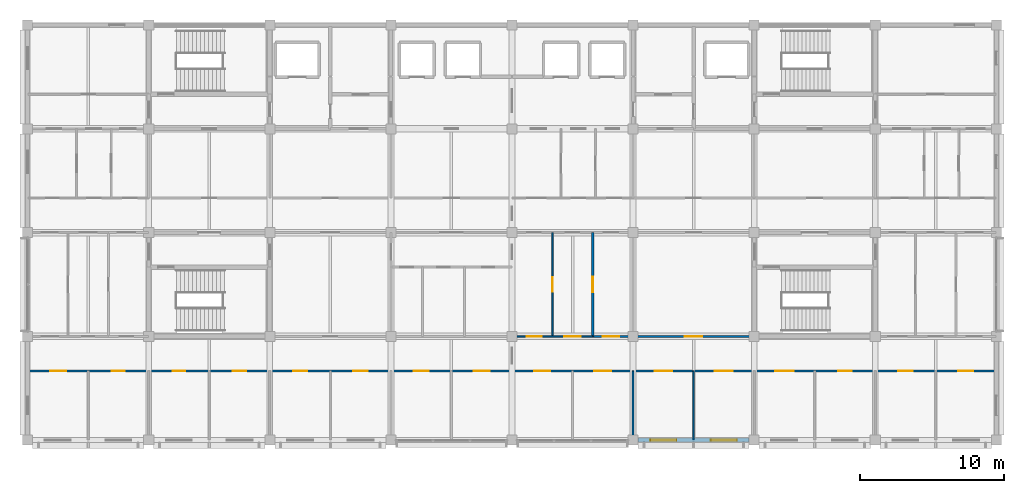
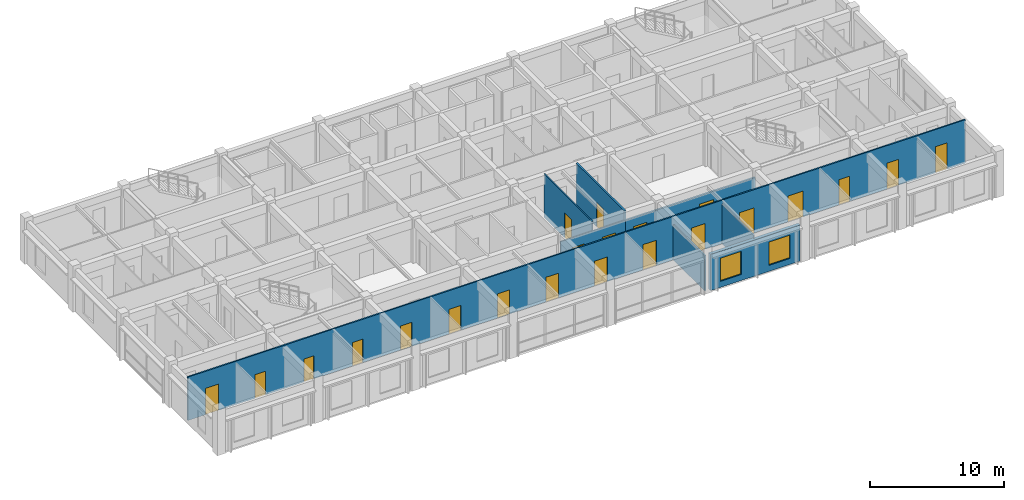
# One storey, part 13 of 19: 22 doors, 8 walls, 2 windows, 24 openings.
"""IFC4 building model written with IfcOpenShell, lengths in metres."""

from ifc_helpers import new_model, si_unit, direction, frame, frame_2d, origin, place, context, subcontext, project, spatial, rectangle, extrude, material, layer, layer_set, type_object, element, fill, save


model = new_model("IFC4")

# Units and contexts
model_context = context("Model", 3, precision=1e-05, world=origin(), true_north=direction((0.0, 1.0)))
body_context = subcontext(model_context, "Body", "Model", "MODEL_VIEW")
ifc_project = project(units=[si_unit("LENGTHUNIT", "METRE"), si_unit("AREAUNIT", "SQUARE_METRE"), si_unit("VOLUMEUNIT", "CUBIC_METRE"), si_unit("PLANEANGLEUNIT", "RADIAN"), si_unit("MASSUNIT", "GRAM", prefix="KILO")], contexts=[model_context])

# Site, building, storey
site_placement = place(None, origin())
site = spatial("IfcSite", under=ifc_project, at=site_placement, CompositionType="ELEMENT")
building_placement = place(site_placement, origin())
building = spatial("IfcBuilding", under=site, at=building_placement, Name="Chengyuan Square Courthouse", CompositionType="ELEMENT")
storey_placement = place(building_placement, frame((0.0, 0.0, 56.10009765625)))
storey = spatial("IfcBuildingStorey", under=building, at=storey_placement, Name="L13", CompositionType="ELEMENT", Elevation=56.10009765625)

# Wall, openings, windows
ifc_material_1 = material(Name="Concrete C40", Category="concrete")
ifc_layer_1 = layer(ifc_material_1, 0.280029296875)
ifc_layer_set_1 = layer_set([ifc_layer_1], Name="Concrete C40")
wall_type_1 = type_object("IfcWallType", Name="WL-EW4", PredefinedType="STANDARD", material=ifc_layer_set_1)
wall_1_placement = place(storey_placement, frame((92.7451171875, 79.199951171875, 0.0), z_axis=(0.0, 0.0, 1.0), x_axis=(1.0, 0.0, 0.0)))
wall_1 = element("IfcWall", 1, at=wall_1_placement, inside=storey, type_object=wall_type_1, Name="Exterior Wall WL-L13-E499", PredefinedType="STANDARD", context=body_context, shape_type="SweptSolid", body=[
    extrude(rectangle(XDim=7.7099609375, YDim=0.280029296875, at=frame_2d((3.85498046875, 0.0))), origin(), (0.0, 0.0, 1.0), 3.309814453125),
])
opening_1_placement = place(wall_1_placement, frame((0.85498046875, 0.0, 0.550048828125)))
opening_1 = element("IfcOpeningElement", 2, at=opening_1_placement, cuts=wall_1, Name="Opening WN-230", PredefinedType="OPENING", context=body_context, shape_type="SweptSolid", body=[
    extrude(rectangle(XDim=1.800048828125, YDim=2.1201171875, at=frame_2d((0.89990234375, 1.06005859375))), frame((0.0, 0.152099609375, 0.0), z_axis=(0.0, -1.0, 0.0), x_axis=(1.0, 0.0, 0.0)), (0.0, 0.0, 1.0), 0.303955078125),
])
opening_2_placement = place(wall_1_placement, frame((5.054931640625, 0.0, 0.550048828125)))
opening_2 = element("IfcOpeningElement", 3, at=opening_2_placement, cuts=wall_1, Name="Opening WN-231", PredefinedType="OPENING", context=body_context, shape_type="SweptSolid", body=[
    extrude(rectangle(XDim=1.800048828125, YDim=2.1201171875, at=frame_2d((0.89990234375, 1.06005859375))), frame((0.0, 0.152099609375, 0.0), z_axis=(0.0, -1.0, 0.0), x_axis=(1.0, 0.0, 0.0)), (0.0, 0.0, 1.0), 0.303955078125),
])
ifc_material_2 = material(Name="Thermally Broken Aluminium Triple Low-E Window", Category="aluminium")
window_type = type_object("IfcWindowType", Name="WT-36", PartitioningType="SINGLE_PANEL", PredefinedType="WINDOW", material=ifc_material_2)
window_1_placement = place(opening_1_placement, origin())
window_1 = element("IfcWindow", 4, at=window_1_placement, inside=storey, type_object=window_type, Name="Facade Window WN-230", OverallHeight=2.1201171875, OverallWidth=1.800048828125, PartitioningType="SINGLE_PANEL", PredefinedType="WINDOW", context=body_context, shape_type="SweptSolid", body=[
    extrude(rectangle(XDim=1.800048828125, YDim=2.1201171875, at=frame_2d((0.89990234375, 1.06005859375))), frame((0.0, 0.030029296875, 0.0), z_axis=(0.0, -1.0, 0.0), x_axis=(1.0, 0.0, 0.0)), (0.0, 0.0, 1.0), 0.06005859375),
])
fill(opening_1, window_1)
window_2_placement = place(opening_2_placement, origin())
window_2 = element("IfcWindow", 5, at=window_2_placement, inside=storey, type_object=window_type, Name="Facade Window WN-231", OverallHeight=2.1201171875, OverallWidth=1.800048828125, PartitioningType="SINGLE_PANEL", PredefinedType="WINDOW", context=body_context, shape_type="SweptSolid", body=[
    extrude(rectangle(XDim=1.800048828125, YDim=2.1201171875, at=frame_2d((0.89990234375, 1.06005859375))), frame((0.0, 0.030029296875, 0.0), z_axis=(0.0, -1.0, 0.0), x_axis=(1.0, 0.0, 0.0)), (0.0, 0.0, 1.0), 0.06005859375),
])
fill(opening_2, window_2)

# Wall, openings, doors
ifc_material_3 = material(Name="Deliberation Room Sound-Insulated Partition")
ifc_layer_2 = layer(ifc_material_3, 0.14990234375)
ifc_layer_set_2 = layer_set([ifc_layer_2], Name="Deliberation Room Sound-Insulated Partition")
wall_type_2 = type_object("IfcWallType", Name="WL-PT3", PredefinedType="STANDARD", material=ifc_layer_set_2)
wall_2_placement = place(storey_placement, frame((89.60009765625, 86.39990234375, 0.0), z_axis=(0.0, 0.0, 1.0), x_axis=(1.0, 0.0, 0.0)))
wall_2 = element("IfcWall", 6, at=wall_2_placement, inside=storey, type_object=wall_type_2, Name="Interior Wall WL-L13-I3775", PredefinedType="STANDARD", context=body_context, shape_type="SweptSolid", body=[
    extrude(rectangle(XDim=11.199951171875, YDim=0.14990234375, at=frame_2d((5.60009765625, 0.0))), origin(), (0.0, 0.0, 1.0), 3.10986328125),
])
opening_3_placement = place(wall_2_placement, frame((0.68505859375, 0.0, 0.0)))
opening_3 = element("IfcOpeningElement", 7, at=opening_3_placement, cuts=wall_2, Name="Opening DR-3208", PredefinedType="OPENING", context=body_context, shape_type="SweptSolid", body=[
    extrude(rectangle(XDim=1.159912109375, YDim=2.300048828125, at=frame_2d((0.580078125, 1.14990234375))), frame((0.0, 0.0869140625, 0.0), z_axis=(0.0, -1.0, 0.0), x_axis=(1.0, 0.0, 0.0)), (0.0, 0.0, 1.0), 0.173828125),
])
opening_4_placement = place(wall_2_placement, frame((6.39990234375, 0.0, 0.0)))
opening_4 = element("IfcOpeningElement", 8, at=opening_4_placement, cuts=wall_2, Name="Opening DR-3209", PredefinedType="OPENING", context=body_context, shape_type="SweptSolid", body=[
    extrude(rectangle(XDim=1.199951171875, YDim=2.35009765625, at=frame_2d((0.60009765625, 1.175048828125))), frame((0.0, 0.0869140625, 0.0), z_axis=(0.0, -1.0, 0.0), x_axis=(1.0, 0.0, 0.0)), (0.0, 0.0, 1.0), 0.173828125),
])
ifc_material_4 = material(Name="Acoustic Solid-Core Timber Door", Category="wood")
door_type_1 = type_object("IfcDoorType", Name="DT-35", OperationType="NOTDEFINED", PredefinedType="DOOR", material=ifc_material_4)
door_1_placement = place(opening_3_placement, origin())
door_1 = element("IfcDoor", 9, at=door_1_placement, inside=storey, type_object=door_type_1, Name="Interior Door DR-3208", OperationType="SINGLE_SWING_LEFT", OverallHeight=2.300048828125, OverallWidth=1.159912109375, PredefinedType="DOOR", context=body_context, shape_type="SweptSolid", body=[
    extrude(rectangle(XDim=1.159912109375, YDim=2.300048828125, at=frame_2d((0.580078125, 1.14990234375))), frame((0.0, 0.02490234375, 0.0), z_axis=(0.0, -1.0, 0.0), x_axis=(1.0, 0.0, 0.0)), (0.0, 0.0, 1.0), 0.050048828125),
])
fill(opening_3, door_1)
door_type_2 = type_object("IfcDoorType", Name="DT-36", OperationType="NOTDEFINED", PredefinedType="DOOR", material=ifc_material_4)
door_2_placement = place(opening_4_placement, origin())
door_2 = element("IfcDoor", 10, at=door_2_placement, inside=storey, type_object=door_type_2, Name="Interior Door DR-3209", OperationType="SINGLE_SWING_RIGHT", OverallHeight=2.35009765625, OverallWidth=1.199951171875, PredefinedType="DOOR", context=body_context, shape_type="SweptSolid", body=[
    extrude(rectangle(XDim=1.199951171875, YDim=2.35009765625, at=frame_2d((0.60009765625, 1.175048828125))), frame((0.0, 0.02490234375, 0.0), z_axis=(0.0, -1.0, 0.0), x_axis=(1.0, 0.0, 0.0)), (0.0, 0.0, 1.0), 0.050048828125),
])
fill(opening_4, door_2)

# Wall, opening, door
wall_3_placement = place(storey_placement, frame((89.60009765625, 86.39990234375, 0.0), z_axis=(0.0, 0.0, 1.0), x_axis=(0.0, 1.0, 0.0)))
wall_3 = element("IfcWall", 11, at=wall_3_placement, inside=storey, type_object=wall_type_2, Name="Interior Wall WL-L13-I3867", PredefinedType="STANDARD", context=body_context, shape_type="SweptSolid", body=[
    extrude(rectangle(XDim=7.2001953125, YDim=0.14990234375, at=frame_2d((3.60009765625, 0.0))), origin(), (0.0, 0.0, 1.0), 3.9599609375),
])
opening_5_placement = place(wall_3_placement, frame((3.06005859375, 0.0, 0.0)))
opening_5 = element("IfcOpeningElement", 12, at=opening_5_placement, cuts=wall_3, Name="Opening DR-3206", PredefinedType="OPENING", context=body_context, shape_type="SweptSolid", body=[
    extrude(rectangle(XDim=1.080078125, YDim=2.25, at=frame_2d((0.5400390625, 1.125))), frame((0.0, 0.0869140625, 0.0), z_axis=(0.0, -1.0, 0.0), x_axis=(1.0, 0.0, 0.0)), (0.0, 0.0, 1.0), 0.173828125),
])
door_type_3 = type_object("IfcDoorType", Name="DT-33", OperationType="NOTDEFINED", PredefinedType="DOOR", material=ifc_material_4)
door_3_placement = place(opening_5_placement, origin())
door_3 = element("IfcDoor", 13, at=door_3_placement, inside=storey, type_object=door_type_3, Name="Interior Door DR-3206", OperationType="SINGLE_SWING_LEFT", OverallHeight=2.25, OverallWidth=1.080078125, PredefinedType="DOOR", context=body_context, shape_type="SweptSolid", body=[
    extrude(rectangle(XDim=1.080078125, YDim=2.25, at=frame_2d((0.5400390625, 1.125))), frame((0.0, 0.02490234375, 0.0), z_axis=(0.0, -1.0, 0.0), x_axis=(1.0, 0.0, 0.0)), (0.0, 0.0, 1.0), 0.050048828125),
])
fill(opening_5, door_3)

# Wall, openings, doors
ifc_material_5 = material(Name="Judges Chambers Gypsum Stud Partition")
ifc_layer_3 = layer(ifc_material_5, 0.1201171875)
ifc_layer_set_3 = layer_set([ifc_layer_3], Name="Judges Chambers Gypsum Stud Partition")
wall_type_3 = type_object("IfcWallType", Name="WL-PT5", PredefinedType="STANDARD", material=ifc_layer_set_3)
wall_4_placement = place(storey_placement, frame((50.43994140625, 84.0, 0.0), z_axis=(0.0, 0.0, 1.0), x_axis=(1.0, 0.0, 0.0)))
wall_4 = element("IfcWall", 14, at=wall_4_placement, inside=storey, type_object=wall_type_3, Name="Interior Wall WL-L13-I3768", PredefinedType="STANDARD", context=body_context, shape_type="SweptSolid", body=[
    extrude(rectangle(XDim=67.1201171875, YDim=0.1201171875, at=frame_2d((33.56005859375, 0.0))), origin(), (0.0, 0.0, 1.0), 3.9599609375),
])
opening_6_placement = place(wall_4_placement, frame((1.510009765625, 0.0, 0.0)))
opening_6 = element("IfcOpeningElement", 15, at=opening_6_placement, cuts=wall_4, Name="Opening DR-3216", PredefinedType="OPENING", context=body_context, shape_type="SweptSolid", body=[
    extrude(rectangle(XDim=1.139892578125, YDim=2.39990234375, at=frame_2d((0.56982421875, 1.199951171875))), frame((0.0, 0.072021484375, 0.0), z_axis=(0.0, -1.0, 0.0), x_axis=(1.0, 0.0, 0.0)), (0.0, 0.0, 1.0), 0.14404296875),
])
opening_7_placement = place(wall_4_placement, frame((5.81005859375, 0.0, 0.0)))
opening_7 = element("IfcOpeningElement", 16, at=opening_7_placement, cuts=wall_4, Name="Opening DR-3217", PredefinedType="OPENING", context=body_context, shape_type="SweptSolid", body=[
    extrude(rectangle(XDim=0.89990234375, YDim=2.14990234375, at=frame_2d((0.449951171875, 1.074951171875))), frame((0.0, 0.072021484375, 0.0), z_axis=(0.0, -1.0, 0.0), x_axis=(1.0, 0.0, 0.0)), (0.0, 0.0, 1.0), 0.14404296875),
])
opening_8_placement = place(wall_4_placement, frame((10.030029296875, 0.0, 0.0)))
opening_8 = element("IfcOpeningElement", 17, at=opening_8_placement, cuts=wall_4, Name="Opening DR-3218", PredefinedType="OPENING", context=body_context, shape_type="SweptSolid", body=[
    extrude(rectangle(XDim=0.860107421875, YDim=2.10009765625, at=frame_2d((0.43017578125, 1.050048828125))), frame((0.0, 0.072021484375, 0.0), z_axis=(0.0, -1.0, 0.0), x_axis=(1.0, 0.0, 0.0)), (0.0, 0.0, 1.0), 0.14404296875),
])
opening_9_placement = place(wall_4_placement, frame((14.199951171875, 0.0, 0.0)))
opening_9 = element("IfcOpeningElement", 18, at=opening_9_placement, cuts=wall_4, Name="Opening DR-3219", PredefinedType="OPENING", context=body_context, shape_type="SweptSolid", body=[
    extrude(rectangle(XDim=0.919921875, YDim=2.14990234375, at=frame_2d((0.4599609375, 1.074951171875))), frame((0.0, 0.072021484375, 0.0), z_axis=(0.0, -1.0, 0.0), x_axis=(1.0, 0.0, 0.0)), (0.0, 0.0, 1.0), 0.14404296875),
])
opening_10_placement = place(wall_4_placement, frame((18.3798828125, 0.0, 0.0)))
opening_10 = element("IfcOpeningElement", 19, at=opening_10_placement, cuts=wall_4, Name="Opening DR-3220", PredefinedType="OPENING", context=body_context, shape_type="SweptSolid", body=[
    extrude(rectangle(XDim=0.9599609375, YDim=2.199951171875, at=frame_2d((0.47998046875, 1.10009765625))), frame((0.0, 0.072021484375, 0.0), z_axis=(0.0, -1.0, 0.0), x_axis=(1.0, 0.0, 0.0)), (0.0, 0.0, 1.0), 0.14404296875),
])
opening_11_placement = place(wall_4_placement, frame((22.56005859375, 0.0, 0.0)))
opening_11 = element("IfcOpeningElement", 20, at=opening_11_placement, cuts=wall_4, Name="Opening DR-3221", PredefinedType="OPENING", context=body_context, shape_type="SweptSolid", body=[
    extrude(rectangle(XDim=1.0, YDim=2.25, at=frame_2d((0.5, 1.125))), frame((0.0, 0.072021484375, 0.0), z_axis=(0.0, -1.0, 0.0), x_axis=(1.0, 0.0, 0.0)), (0.0, 0.0, 1.0), 0.14404296875),
])
opening_12_placement = place(wall_4_placement, frame((26.739990234375, 0.0, 0.0)))
opening_12 = element("IfcOpeningElement", 21, at=opening_12_placement, cuts=wall_4, Name="Opening DR-3222", PredefinedType="OPENING", context=body_context, shape_type="SweptSolid", body=[
    extrude(rectangle(XDim=1.0400390625, YDim=2.199951171875, at=frame_2d((0.52001953125, 1.10009765625))), frame((0.0, 0.072021484375, 0.0), z_axis=(0.0, -1.0, 0.0), x_axis=(1.0, 0.0, 0.0)), (0.0, 0.0, 1.0), 0.14404296875),
])
opening_13_placement = place(wall_4_placement, frame((30.919921875, 0.0, 0.0)))
opening_13 = element("IfcOpeningElement", 22, at=opening_13_placement, cuts=wall_4, Name="Opening DR-3223", PredefinedType="OPENING", context=body_context, shape_type="SweptSolid", body=[
    extrude(rectangle(XDim=1.080078125, YDim=2.25, at=frame_2d((0.5400390625, 1.125))), frame((0.0, 0.072021484375, 0.0), z_axis=(0.0, -1.0, 0.0), x_axis=(1.0, 0.0, 0.0)), (0.0, 0.0, 1.0), 0.14404296875),
])
opening_14_placement = place(wall_4_placement, frame((35.10009765625, 0.0, 0.0)))
opening_14 = element("IfcOpeningElement", 23, at=opening_14_placement, cuts=wall_4, Name="Opening DR-3224", PredefinedType="OPENING", context=body_context, shape_type="SweptSolid", body=[
    extrude(rectangle(XDim=1.1201171875, YDim=2.25, at=frame_2d((0.56005859375, 1.125))), frame((0.0, 0.072021484375, 0.0), z_axis=(0.0, -1.0, 0.0), x_axis=(1.0, 0.0, 0.0)), (0.0, 0.0, 1.0), 0.14404296875),
])
opening_15_placement = place(wall_4_placement, frame((39.280029296875, 0.0, 0.0)))
opening_15 = element("IfcOpeningElement", 24, at=opening_15_placement, cuts=wall_4, Name="Opening DR-3225", PredefinedType="OPENING", context=body_context, shape_type="SweptSolid", body=[
    extrude(rectangle(XDim=1.159912109375, YDim=2.300048828125, at=frame_2d((0.580078125, 1.14990234375))), frame((0.0, 0.072021484375, 0.0), z_axis=(0.0, -1.0, 0.0), x_axis=(1.0, 0.0, 0.0)), (0.0, 0.0, 1.0), 0.14404296875),
])
opening_16_placement = place(wall_4_placement, frame((43.4599609375, 0.0, 0.0)))
opening_16 = element("IfcOpeningElement", 25, at=opening_16_placement, cuts=wall_4, Name="Opening DR-3226", PredefinedType="OPENING", context=body_context, shape_type="SweptSolid", body=[
    extrude(rectangle(XDim=1.199951171875, YDim=2.35009765625, at=frame_2d((0.60009765625, 1.175048828125))), frame((0.0, 0.072021484375, 0.0), z_axis=(0.0, -1.0, 0.0), x_axis=(1.0, 0.0, 0.0)), (0.0, 0.0, 1.0), 0.14404296875),
])
opening_17_placement = place(wall_4_placement, frame((47.639892578125, 0.0, 0.0)))
opening_17 = element("IfcOpeningElement", 26, at=opening_17_placement, cuts=wall_4, Name="Opening DR-3227", PredefinedType="OPENING", context=body_context, shape_type="SweptSolid", body=[
    extrude(rectangle(XDim=1.239990234375, YDim=2.300048828125, at=frame_2d((0.6201171875, 1.14990234375))), frame((0.0, 0.072021484375, 0.0), z_axis=(0.0, -1.0, 0.0), x_axis=(1.0, 0.0, 0.0)), (0.0, 0.0, 1.0), 0.14404296875),
])
opening_18_placement = place(wall_4_placement, frame((51.820068359375, 0.0, 0.0)))
opening_18 = element("IfcOpeningElement", 27, at=opening_18_placement, cuts=wall_4, Name="Opening DR-3228", PredefinedType="OPENING", context=body_context, shape_type="SweptSolid", body=[
    extrude(rectangle(XDim=1.280029296875, YDim=2.35009765625, at=frame_2d((0.64013671875, 1.175048828125))), frame((0.0, 0.072021484375, 0.0), z_axis=(0.0, -1.0, 0.0), x_axis=(1.0, 0.0, 0.0)), (0.0, 0.0, 1.0), 0.14404296875),
])
opening_19_placement = place(wall_4_placement, frame((56.18994140625, 0.0, 0.0)))
opening_19 = element("IfcOpeningElement", 28, at=opening_19_placement, cuts=wall_4, Name="Opening DR-3229", PredefinedType="OPENING", context=body_context, shape_type="SweptSolid", body=[
    extrude(rectangle(XDim=0.93994140625, YDim=2.300048828125, at=frame_2d((0.469970703125, 1.14990234375))), frame((0.0, 0.072021484375, 0.0), z_axis=(0.0, -1.0, 0.0), x_axis=(1.0, 0.0, 0.0)), (0.0, 0.0, 1.0), 0.14404296875),
])
opening_20_placement = place(wall_4_placement, frame((60.3701171875, 0.0, 0.0)))
opening_20 = element("IfcOpeningElement", 29, at=opening_20_placement, cuts=wall_4, Name="Opening DR-3230", PredefinedType="OPENING", context=body_context, shape_type="SweptSolid", body=[
    extrude(rectangle(XDim=0.97998046875, YDim=2.35009765625, at=frame_2d((0.489990234375, 1.175048828125))), frame((0.0, 0.072021484375, 0.0), z_axis=(0.0, -1.0, 0.0), x_axis=(1.0, 0.0, 0.0)), (0.0, 0.0, 1.0), 0.14404296875),
])
opening_21_placement = place(wall_4_placement, frame((64.530029296875, 0.0, 0.0)))
opening_21 = element("IfcOpeningElement", 30, at=opening_21_placement, cuts=wall_4, Name="Opening DR-3231", PredefinedType="OPENING", context=body_context, shape_type="SweptSolid", body=[
    extrude(rectangle(XDim=1.02001953125, YDim=2.39990234375, at=frame_2d((0.510009765625, 1.199951171875))), frame((0.0, 0.072021484375, 0.0), z_axis=(0.0, -1.0, 0.0), x_axis=(1.0, 0.0, 0.0)), (0.0, 0.0, 1.0), 0.14404296875),
])
door_type_4 = type_object("IfcDoorType", Name="DT-27", OperationType="NOTDEFINED", PredefinedType="DOOR", material=ifc_material_4)
door_4_placement = place(opening_7_placement, origin())
door_4 = element("IfcDoor", 31, at=door_4_placement, inside=storey, type_object=door_type_4, Name="Interior Door DR-3217", OperationType="SINGLE_SWING_RIGHT", OverallHeight=2.14990234375, OverallWidth=0.89990234375, PredefinedType="DOOR", context=body_context, shape_type="SweptSolid", body=[
    extrude(rectangle(XDim=0.89990234375, YDim=2.14990234375, at=frame_2d((0.449951171875, 1.074951171875))), frame((0.0, 0.02490234375, 0.0), z_axis=(0.0, -1.0, 0.0), x_axis=(1.0, 0.0, 0.0)), (0.0, 0.0, 1.0), 0.050048828125),
])
fill(opening_7, door_4)
door_type_5 = type_object("IfcDoorType", Name="DT-28", OperationType="NOTDEFINED", PredefinedType="DOOR", material=ifc_material_4)
door_5_placement = place(opening_8_placement, origin())
door_5 = element("IfcDoor", 32, at=door_5_placement, inside=storey, type_object=door_type_5, Name="Interior Door DR-3218", OperationType="SINGLE_SWING_LEFT", OverallHeight=2.10009765625, OverallWidth=0.860107421875, PredefinedType="DOOR", context=body_context, shape_type="SweptSolid", body=[
    extrude(rectangle(XDim=0.860107421875, YDim=2.10009765625, at=frame_2d((0.43017578125, 1.050048828125))), frame((0.0, 0.02490234375, 0.0), z_axis=(0.0, -1.0, 0.0), x_axis=(1.0, 0.0, 0.0)), (0.0, 0.0, 1.0), 0.050048828125),
])
fill(opening_8, door_5)
door_type_6 = type_object("IfcDoorType", Name="DT-29", OperationType="NOTDEFINED", PredefinedType="DOOR", material=ifc_material_4)
door_6_placement = place(opening_9_placement, origin())
door_6 = element("IfcDoor", 33, at=door_6_placement, inside=storey, type_object=door_type_6, Name="Interior Door DR-3219", OperationType="SINGLE_SWING_RIGHT", OverallHeight=2.14990234375, OverallWidth=0.919921875, PredefinedType="DOOR", context=body_context, shape_type="SweptSolid", body=[
    extrude(rectangle(XDim=0.919921875, YDim=2.14990234375, at=frame_2d((0.4599609375, 1.074951171875))), frame((0.0, 0.02490234375, 0.0), z_axis=(0.0, -1.0, 0.0), x_axis=(1.0, 0.0, 0.0)), (0.0, 0.0, 1.0), 0.050048828125),
])
fill(opening_9, door_6)
door_type_7 = type_object("IfcDoorType", Name="DT-30", OperationType="NOTDEFINED", PredefinedType="DOOR", material=ifc_material_4)
door_7_placement = place(opening_10_placement, origin())
door_7 = element("IfcDoor", 34, at=door_7_placement, inside=storey, type_object=door_type_7, Name="Interior Door DR-3220", OperationType="SINGLE_SWING_LEFT", OverallHeight=2.199951171875, OverallWidth=0.9599609375, PredefinedType="DOOR", context=body_context, shape_type="SweptSolid", body=[
    extrude(rectangle(XDim=0.9599609375, YDim=2.199951171875, at=frame_2d((0.47998046875, 1.10009765625))), frame((0.0, 0.02490234375, 0.0), z_axis=(0.0, -1.0, 0.0), x_axis=(1.0, 0.0, 0.0)), (0.0, 0.0, 1.0), 0.050048828125),
])
fill(opening_10, door_7)
door_type_8 = type_object("IfcDoorType", Name="DT-31", OperationType="NOTDEFINED", PredefinedType="DOOR", material=ifc_material_4)
door_8_placement = place(opening_11_placement, origin())
door_8 = element("IfcDoor", 35, at=door_8_placement, inside=storey, type_object=door_type_8, Name="Interior Door DR-3221", OperationType="SINGLE_SWING_RIGHT", OverallHeight=2.25, OverallWidth=1.0, PredefinedType="DOOR", context=body_context, shape_type="SweptSolid", body=[
    extrude(rectangle(XDim=1.0, YDim=2.25, at=frame_2d((0.5, 1.125))), frame((0.0, 0.02490234375, 0.0), z_axis=(0.0, -1.0, 0.0), x_axis=(1.0, 0.0, 0.0)), (0.0, 0.0, 1.0), 0.050048828125),
])
fill(opening_11, door_8)
door_type_9 = type_object("IfcDoorType", Name="DT-32", OperationType="NOTDEFINED", PredefinedType="DOOR", material=ifc_material_4)
door_9_placement = place(opening_12_placement, origin())
door_9 = element("IfcDoor", 36, at=door_9_placement, inside=storey, type_object=door_type_9, Name="Interior Door DR-3222", OperationType="SINGLE_SWING_LEFT", OverallHeight=2.199951171875, OverallWidth=1.0400390625, PredefinedType="DOOR", context=body_context, shape_type="SweptSolid", body=[
    extrude(rectangle(XDim=1.0400390625, YDim=2.199951171875, at=frame_2d((0.52001953125, 1.10009765625))), frame((0.0, 0.02490234375, 0.0), z_axis=(0.0, -1.0, 0.0), x_axis=(1.0, 0.0, 0.0)), (0.0, 0.0, 1.0), 0.050048828125),
])
fill(opening_12, door_9)
door_10_placement = place(opening_13_placement, origin())
door_10 = element("IfcDoor", 37, at=door_10_placement, inside=storey, type_object=door_type_3, Name="Interior Door DR-3223", OperationType="SINGLE_SWING_RIGHT", OverallHeight=2.25, OverallWidth=1.080078125, PredefinedType="DOOR", context=body_context, shape_type="SweptSolid", body=[
    extrude(rectangle(XDim=1.080078125, YDim=2.25, at=frame_2d((0.5400390625, 1.125))), frame((0.0, 0.02490234375, 0.0), z_axis=(0.0, -1.0, 0.0), x_axis=(1.0, 0.0, 0.0)), (0.0, 0.0, 1.0), 0.050048828125),
])
fill(opening_13, door_10)
door_type_10 = type_object("IfcDoorType", Name="DT-34", OperationType="NOTDEFINED", PredefinedType="DOOR", material=ifc_material_4)
door_11_placement = place(opening_14_placement, origin())
door_11 = element("IfcDoor", 38, at=door_11_placement, inside=storey, type_object=door_type_10, Name="Interior Door DR-3224", OperationType="SINGLE_SWING_LEFT", OverallHeight=2.25, OverallWidth=1.1201171875, PredefinedType="DOOR", context=body_context, shape_type="SweptSolid", body=[
    extrude(rectangle(XDim=1.1201171875, YDim=2.25, at=frame_2d((0.56005859375, 1.125))), frame((0.0, 0.02490234375, 0.0), z_axis=(0.0, -1.0, 0.0), x_axis=(1.0, 0.0, 0.0)), (0.0, 0.0, 1.0), 0.050048828125),
])
fill(opening_14, door_11)
door_12_placement = place(opening_15_placement, origin())
door_12 = element("IfcDoor", 39, at=door_12_placement, inside=storey, type_object=door_type_1, Name="Interior Door DR-3225", OperationType="SINGLE_SWING_RIGHT", OverallHeight=2.300048828125, OverallWidth=1.159912109375, PredefinedType="DOOR", context=body_context, shape_type="SweptSolid", body=[
    extrude(rectangle(XDim=1.159912109375, YDim=2.300048828125, at=frame_2d((0.580078125, 1.14990234375))), frame((0.0, 0.02490234375, 0.0), z_axis=(0.0, -1.0, 0.0), x_axis=(1.0, 0.0, 0.0)), (0.0, 0.0, 1.0), 0.050048828125),
])
fill(opening_15, door_12)
door_13_placement = place(opening_16_placement, origin())
door_13 = element("IfcDoor", 40, at=door_13_placement, inside=storey, type_object=door_type_2, Name="Interior Door DR-3226", OperationType="SINGLE_SWING_LEFT", OverallHeight=2.35009765625, OverallWidth=1.199951171875, PredefinedType="DOOR", context=body_context, shape_type="SweptSolid", body=[
    extrude(rectangle(XDim=1.199951171875, YDim=2.35009765625, at=frame_2d((0.60009765625, 1.175048828125))), frame((0.0, 0.02490234375, 0.0), z_axis=(0.0, -1.0, 0.0), x_axis=(1.0, 0.0, 0.0)), (0.0, 0.0, 1.0), 0.050048828125),
])
fill(opening_16, door_13)
door_type_11 = type_object("IfcDoorType", Name="DT-37", OperationType="NOTDEFINED", PredefinedType="DOOR", material=ifc_material_4)
door_14_placement = place(opening_17_placement, origin())
door_14 = element("IfcDoor", 41, at=door_14_placement, inside=storey, type_object=door_type_11, Name="Interior Door DR-3227", OperationType="SINGLE_SWING_RIGHT", OverallHeight=2.300048828125, OverallWidth=1.239990234375, PredefinedType="DOOR", context=body_context, shape_type="SweptSolid", body=[
    extrude(rectangle(XDim=1.239990234375, YDim=2.300048828125, at=frame_2d((0.6201171875, 1.14990234375))), frame((0.0, 0.02490234375, 0.0), z_axis=(0.0, -1.0, 0.0), x_axis=(1.0, 0.0, 0.0)), (0.0, 0.0, 1.0), 0.050048828125),
])
fill(opening_17, door_14)
door_type_12 = type_object("IfcDoorType", Name="DT-38", OperationType="NOTDEFINED", PredefinedType="DOOR", material=ifc_material_4)
door_15_placement = place(opening_18_placement, origin())
door_15 = element("IfcDoor", 42, at=door_15_placement, inside=storey, type_object=door_type_12, Name="Interior Door DR-3228", OperationType="SINGLE_SWING_LEFT", OverallHeight=2.35009765625, OverallWidth=1.280029296875, PredefinedType="DOOR", context=body_context, shape_type="SweptSolid", body=[
    extrude(rectangle(XDim=1.280029296875, YDim=2.35009765625, at=frame_2d((0.64013671875, 1.175048828125))), frame((0.0, 0.02490234375, 0.0), z_axis=(0.0, -1.0, 0.0), x_axis=(1.0, 0.0, 0.0)), (0.0, 0.0, 1.0), 0.050048828125),
])
fill(opening_18, door_15)
door_type_13 = type_object("IfcDoorType", Name="DT-39", OperationType="NOTDEFINED", PredefinedType="DOOR", material=ifc_material_4)
door_16_placement = place(opening_19_placement, origin())
door_16 = element("IfcDoor", 43, at=door_16_placement, inside=storey, type_object=door_type_13, Name="Interior Door DR-3229", OperationType="SINGLE_SWING_RIGHT", OverallHeight=2.300048828125, OverallWidth=0.93994140625, PredefinedType="DOOR", context=body_context, shape_type="SweptSolid", body=[
    extrude(rectangle(XDim=0.93994140625, YDim=2.300048828125, at=frame_2d((0.469970703125, 1.14990234375))), frame((0.0, 0.02490234375, 0.0), z_axis=(0.0, -1.0, 0.0), x_axis=(1.0, 0.0, 0.0)), (0.0, 0.0, 1.0), 0.050048828125),
])
fill(opening_19, door_16)
door_type_14 = type_object("IfcDoorType", Name="DT-40", OperationType="NOTDEFINED", PredefinedType="DOOR", material=ifc_material_4)
door_17_placement = place(opening_20_placement, origin())
door_17 = element("IfcDoor", 44, at=door_17_placement, inside=storey, type_object=door_type_14, Name="Interior Door DR-3230", OperationType="SINGLE_SWING_LEFT", OverallHeight=2.35009765625, OverallWidth=0.97998046875, PredefinedType="DOOR", context=body_context, shape_type="SweptSolid", body=[
    extrude(rectangle(XDim=0.97998046875, YDim=2.35009765625, at=frame_2d((0.489990234375, 1.175048828125))), frame((0.0, 0.02490234375, 0.0), z_axis=(0.0, -1.0, 0.0), x_axis=(1.0, 0.0, 0.0)), (0.0, 0.0, 1.0), 0.050048828125),
])
fill(opening_20, door_17)
door_type_15 = type_object("IfcDoorType", Name="DT-41", OperationType="NOTDEFINED", PredefinedType="DOOR", material=ifc_material_4)
door_18_placement = place(opening_21_placement, origin())
door_18 = element("IfcDoor", 45, at=door_18_placement, inside=storey, type_object=door_type_15, Name="Interior Door DR-3231", OperationType="SINGLE_SWING_RIGHT", OverallHeight=2.39990234375, OverallWidth=1.02001953125, PredefinedType="DOOR", context=body_context, shape_type="SweptSolid", body=[
    extrude(rectangle(XDim=1.02001953125, YDim=2.39990234375, at=frame_2d((0.510009765625, 1.199951171875))), frame((0.0, 0.02490234375, 0.0), z_axis=(0.0, -1.0, 0.0), x_axis=(1.0, 0.0, 0.0)), (0.0, 0.0, 1.0), 0.050048828125),
])
fill(opening_21, door_18)
door_type_16 = type_object("IfcDoorType", Name="DT-43", OperationType="NOTDEFINED", PredefinedType="DOOR", material=ifc_material_4)
door_19_placement = place(opening_6_placement, origin())
door_19 = element("IfcDoor", 46, at=door_19_placement, inside=storey, type_object=door_type_16, Name="Interior Door DR-3216", OperationType="SINGLE_SWING_LEFT", OverallHeight=2.39990234375, OverallWidth=1.139892578125, PredefinedType="DOOR", context=body_context, shape_type="SweptSolid", body=[
    extrude(rectangle(XDim=1.139892578125, YDim=2.39990234375, at=frame_2d((0.56982421875, 1.199951171875))), frame((0.0, 0.02490234375, 0.0), z_axis=(0.0, -1.0, 0.0), x_axis=(1.0, 0.0, 0.0)), (0.0, 0.0, 1.0), 0.050048828125),
])
fill(opening_6, door_19)

# Walls
wall_5_placement = place(storey_placement, frame((92.39990234375, 79.239990234375, 0.0), z_axis=(0.0, 0.0, 1.0), x_axis=(0.0, 1.0, 0.0)))
element("IfcWall", 47, at=wall_5_placement, inside=storey, type_object=wall_type_3, Name="Interior Wall WL-L13-I3870", PredefinedType="STANDARD", context=body_context, shape_type="SweptSolid", body=[
    extrude(rectangle(XDim=4.760009765625, YDim=0.1201171875, at=frame_2d((2.3798828125, 0.0))), origin(), (0.0, 0.0, 1.0), 3.2099609375),
])
wall_6_placement = place(storey_placement, frame((96.60009765625, 79.239990234375, 0.0), z_axis=(0.0, 0.0, 1.0), x_axis=(0.0, 1.0, 0.0)))
element("IfcWall", 48, at=wall_6_placement, inside=storey, type_object=wall_type_3, Name="Interior Wall WL-L13-I3875", PredefinedType="STANDARD", context=body_context, shape_type="SweptSolid", body=[
    extrude(rectangle(XDim=4.760009765625, YDim=0.1201171875, at=frame_2d((2.3798828125, 0.0))), origin(), (0.0, 0.0, 1.0), 3.60986328125),
])

# Wall, openings, doors
ifc_material_6 = material(Name="Gypsum Plasterboard Acoustic Stud Partition")
ifc_layer_4 = layer(ifc_material_6, 0.10009765625)
ifc_layer_set_4 = layer_set([ifc_layer_4], Name="Gypsum Plasterboard Acoustic Stud Partition")
wall_type_4 = type_object("IfcWallType", Name="WL-PT6", PredefinedType="STANDARD", material=ifc_layer_set_4)
wall_7_placement = place(storey_placement, frame((84.0, 86.39990234375, 0.0), z_axis=(0.0, 0.0, 1.0), x_axis=(1.0, 0.0, 0.0)))
wall_7 = element("IfcWall", 49, at=wall_7_placement, inside=storey, type_object=wall_type_4, Name="Interior Wall WL-L13-I3774", PredefinedType="STANDARD", context=body_context, shape_type="SweptSolid", body=[
    extrude(rectangle(XDim=5.60009765625, YDim=0.10009765625, at=frame_2d((2.800048828125, 0.0))), origin(), (0.0, 0.0, 1.0), 3.10986328125),
])
opening_22_placement = place(wall_7_placement, frame((1.014892578125, 0.0, 0.0)))
opening_22 = element("IfcOpeningElement", 50, at=opening_22_placement, cuts=wall_7, Name="Opening DR-3205", PredefinedType="OPENING", context=body_context, shape_type="SweptSolid", body=[
    extrude(rectangle(XDim=1.0400390625, YDim=2.199951171875, at=frame_2d((0.52001953125, 1.10009765625))), frame((0.0, 0.06201171875, 0.0), z_axis=(0.0, -1.0, 0.0), x_axis=(1.0, 0.0, 0.0)), (0.0, 0.0, 1.0), 0.1240234375),
])
opening_23_placement = place(wall_7_placement, frame((3.639892578125, 0.0, 0.0)))
opening_23 = element("IfcOpeningElement", 51, at=opening_23_placement, cuts=wall_7, Name="Opening DR-3207", PredefinedType="OPENING", context=body_context, shape_type="SweptSolid", body=[
    extrude(rectangle(XDim=1.1201171875, YDim=2.25, at=frame_2d((0.56005859375, 1.125))), frame((0.0, 0.06201171875, 0.0), z_axis=(0.0, -1.0, 0.0), x_axis=(1.0, 0.0, 0.0)), (0.0, 0.0, 1.0), 0.1240234375),
])
door_20_placement = place(opening_22_placement, origin())
door_20 = element("IfcDoor", 52, at=door_20_placement, inside=storey, type_object=door_type_9, Name="Interior Door DR-3205", OperationType="SINGLE_SWING_RIGHT", OverallHeight=2.199951171875, OverallWidth=1.0400390625, PredefinedType="DOOR", context=body_context, shape_type="SweptSolid", body=[
    extrude(rectangle(XDim=1.0400390625, YDim=2.199951171875, at=frame_2d((0.52001953125, 1.10009765625))), frame((0.0, 0.02490234375, 0.0), z_axis=(0.0, -1.0, 0.0), x_axis=(1.0, 0.0, 0.0)), (0.0, 0.0, 1.0), 0.050048828125),
])
fill(opening_22, door_20)
door_21_placement = place(opening_23_placement, origin())
door_21 = element("IfcDoor", 53, at=door_21_placement, inside=storey, type_object=door_type_10, Name="Interior Door DR-3207", OperationType="SINGLE_SWING_RIGHT", OverallHeight=2.25, OverallWidth=1.1201171875, PredefinedType="DOOR", context=body_context, shape_type="SweptSolid", body=[
    extrude(rectangle(XDim=1.1201171875, YDim=2.25, at=frame_2d((0.56005859375, 1.125))), frame((0.0, 0.02490234375, 0.0), z_axis=(0.0, -1.0, 0.0), x_axis=(1.0, 0.0, 0.0)), (0.0, 0.0, 1.0), 0.050048828125),
])
fill(opening_23, door_21)

# Wall, opening, door
wall_8_placement = place(storey_placement, frame((86.800048828125, 86.39990234375, 0.0), z_axis=(0.0, 0.0, 1.0), x_axis=(0.0, 1.0, 0.0)))
wall_8 = element("IfcWall", 54, at=wall_8_placement, inside=storey, type_object=wall_type_4, Name="Interior Wall WL-L13-I3862", PredefinedType="STANDARD", context=body_context, shape_type="SweptSolid", body=[
    extrude(rectangle(XDim=7.2001953125, YDim=0.10009765625, at=frame_2d((3.60009765625, 0.0))), origin(), (0.0, 0.0, 1.0), 3.9599609375),
])
opening_24_placement = place(wall_8_placement, frame((3.10009765625, 0.0, 0.0)))
opening_24 = element("IfcOpeningElement", 55, at=opening_24_placement, cuts=wall_8, Name="Opening DR-3204", PredefinedType="OPENING", context=body_context, shape_type="SweptSolid", body=[
    extrude(rectangle(XDim=1.0, YDim=2.25, at=frame_2d((0.5, 1.125))), frame((0.0, 0.06201171875, 0.0), z_axis=(0.0, -1.0, 0.0), x_axis=(1.0, 0.0, 0.0)), (0.0, 0.0, 1.0), 0.1240234375),
])
door_22_placement = place(opening_24_placement, origin())
door_22 = element("IfcDoor", 56, at=door_22_placement, inside=storey, type_object=door_type_8, Name="Interior Door DR-3204", OperationType="SINGLE_SWING_LEFT", OverallHeight=2.25, OverallWidth=1.0, PredefinedType="DOOR", context=body_context, shape_type="SweptSolid", body=[
    extrude(rectangle(XDim=1.0, YDim=2.25, at=frame_2d((0.5, 1.125))), frame((0.0, 0.02490234375, 0.0), z_axis=(0.0, -1.0, 0.0), x_axis=(1.0, 0.0, 0.0)), (0.0, 0.0, 1.0), 0.050048828125),
])
fill(opening_24, door_22)

save(model, "model.ifc")
